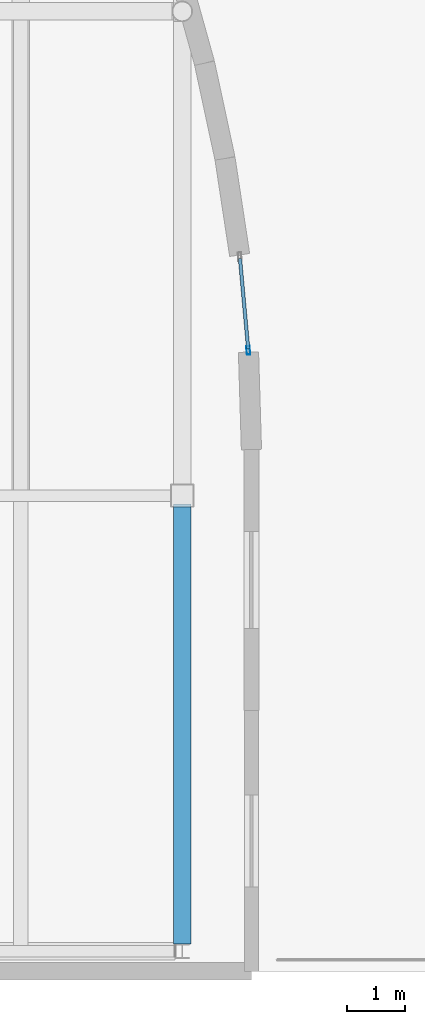
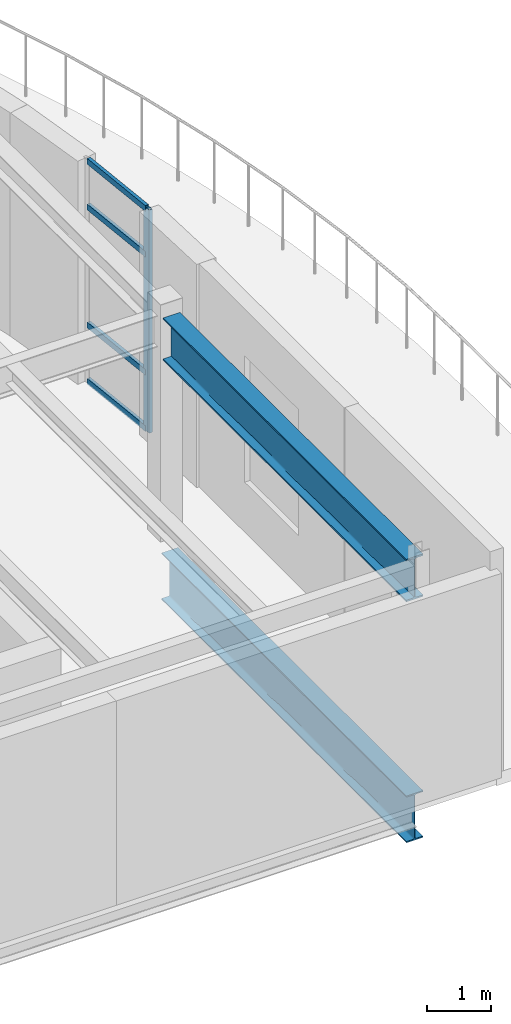
# One storey, part 11 of 26: 5 members, 2 beams, 1 element without a shape of its own.
"""IFC4 building model written with IfcOpenShell, lengths in metres."""

from ifc_helpers import new_model, si_unit, direction, frame, origin, origin_2d, place, context, subcontext, project, spatial, hollow_rectangle, i_section, extrude, material, layer, layer_set, material_profile, profile_set, type_object, element, aggregate, save


model = new_model("IFC4")

# Units and contexts
model_context = context("Model", 3, precision=1e-05, world=origin(), true_north=direction((0.0, 1.0)))
body_context = subcontext(model_context, "Body", "Model", "MODEL_VIEW")
ifc_project = project(units=[si_unit("LENGTHUNIT", "METRE"), si_unit("AREAUNIT", "SQUARE_METRE"), si_unit("VOLUMEUNIT", "CUBIC_METRE"), si_unit("PLANEANGLEUNIT", "RADIAN"), si_unit("MASSUNIT", "GRAM", prefix="KILO"), si_unit("THERMODYNAMICTEMPERATUREUNIT", "KELVIN")], contexts=[model_context])

# Site, building, storey
site_placement = place(None, origin())
site = spatial("IfcSite", under=ifc_project, at=site_placement, CompositionType="ELEMENT")
building_placement = place(site_placement, origin())
building = spatial("IfcBuilding", under=site, at=building_placement, Name="Lustrewick Department Store", CompositionType="ELEMENT")
storey_placement = place(building_placement, frame((0.0, 0.0, 36.300048828125)))
storey = spatial("IfcBuildingStorey", under=building, at=storey_placement, Name="L08", CompositionType="ELEMENT", Elevation=36.300048828125)

# Curtain wall, members
ifc_material_1 = material(Name="Thermally broken aluminium 6063-T5", Category="aluminium")
ifc_layer = layer(ifc_material_1, 0.14990234375, Name="Thermally broken aluminium 6063-T5")
ifc_layer_set = layer_set([ifc_layer], Name="Thermally broken aluminium 6063-T5")
curtain_wall_type = type_object("IfcCurtainWallType", Name="CW05", PredefinedType="NOTDEFINED", material=ifc_layer_set)
curtain_wall_placement = place(storey_placement, origin())
curtain_wall = element("IfcCurtainWall", 1, at=curtain_wall_placement, inside=storey, type_object=curtain_wall_type, Name="L08 V4 Curtain Wall CW05", PredefinedType="NOTDEFINED")
ifc_material_profile_1 = material_profile(ifc_material_1, hollow_rectangle(XDim=0.06005859375, YDim=0.14990234375, WallThickness=0.00341796875, at=origin_2d()), Name="ALU-M 60x150x3.5")
ifc_profile_set_1 = profile_set([ifc_material_profile_1], Name="Thermally broken aluminium 6063-T5")
member_type_1 = type_object("IfcMemberType", Name="CW05-M1", PredefinedType="MULLION", material=ifc_profile_set_1)
member_1_placement = place(storey_placement, frame((143.9462890625, 61.320556640625, 0.0), z_axis=(0.0, 0.0, 1.0), x_axis=(-0.995894660223, -0.090519753315, 0.0)))
member_1 = element("IfcMember", 2, at=member_1_placement, type_object=member_type_1, Name="CW05 mullion 1", PredefinedType="MULLION", context=body_context, shape_type="SweptSolid", body=[
    extrude(hollow_rectangle(XDim=0.06005859375, YDim=0.14990234375, WallThickness=0.00341796875, at=origin_2d()), origin(), (0.0, 0.0, 1.0), 4.244873046875),
])
ifc_material_profile_2 = material_profile(ifc_material_1, hollow_rectangle(XDim=0.06005859375, YDim=0.110107421875, WallThickness=0.0029296875, at=origin_2d()), Name="ALU-T 60x110x3")
ifc_profile_set_2 = profile_set([ifc_material_profile_2], Name="Thermally broken aluminium 6063-T5")
member_type_2 = type_object("IfcMemberType", Name="CW05-T1", PredefinedType="USERDEFINED", material=ifc_profile_set_2)
member_2_placement = place(storey_placement, frame((143.943359375, 61.350341796875, 0.030029296875), z_axis=(-0.090423677366, 0.995903388172, 0.0), x_axis=(-0.995903388172, -0.090423677366, 0.0)))
member_2 = element("IfcMember", 3, at=member_2_placement, type_object=member_type_2, Name="CW05 transom 1.1", ObjectType="TRANSOM", PredefinedType="USERDEFINED", context=body_context, shape_type="SweptSolid", body=[
    extrude(hollow_rectangle(XDim=0.06005859375, YDim=0.110107421875, WallThickness=0.0029296875, at=origin_2d()), origin(), (0.0, 0.0, 1.0), 1.5712890625),
])
member_3_placement = place(storey_placement, frame((143.943359375, 61.350341796875, 1.099853515625), z_axis=(-0.090423677366, 0.995903388172, 0.0), x_axis=(-0.995903388172, -0.090423677366, 0.0)))
member_3 = element("IfcMember", 4, at=member_3_placement, type_object=member_type_2, Name="CW05 transom 1.2", ObjectType="TRANSOM", PredefinedType="USERDEFINED", context=body_context, shape_type="SweptSolid", body=[
    extrude(hollow_rectangle(XDim=0.06005859375, YDim=0.110107421875, WallThickness=0.0029296875, at=origin_2d()), origin(), (0.0, 0.0, 1.0), 1.5712890625),
])
member_4_placement = place(storey_placement, frame((143.943359375, 61.350341796875, 3.344970703125), z_axis=(-0.090423677366, 0.995903388172, 0.0), x_axis=(-0.995903388172, -0.090423677366, 0.0)))
member_4 = element("IfcMember", 5, at=member_4_placement, type_object=member_type_2, Name="CW05 transom 1.3", ObjectType="TRANSOM", PredefinedType="USERDEFINED", context=body_context, shape_type="SweptSolid", body=[
    extrude(hollow_rectangle(XDim=0.06005859375, YDim=0.110107421875, WallThickness=0.0029296875, at=origin_2d()), origin(), (0.0, 0.0, 1.0), 1.5712890625),
])
member_5_placement = place(storey_placement, frame((143.943359375, 61.350341796875, 4.21484375), z_axis=(-0.090423677366, 0.995903388172, 0.0), x_axis=(-0.995903388172, -0.090423677366, 0.0)))
member_5 = element("IfcMember", 6, at=member_5_placement, type_object=member_type_2, Name="CW05 transom 1.4", ObjectType="TRANSOM", PredefinedType="USERDEFINED", context=body_context, shape_type="SweptSolid", body=[
    extrude(hollow_rectangle(XDim=0.06005859375, YDim=0.110107421875, WallThickness=0.0029296875, at=origin_2d()), origin(), (0.0, 0.0, 1.0), 1.5712890625),
])
aggregate(curtain_wall, [member_1, member_2, member_3, member_4, member_5])

# Beams
ifc_material_2 = material(Name="Structural steel Q355C", Category="steel")
ifc_material_profile_3 = material_profile(ifc_material_2, i_section(OverallWidth=0.299072265625, OverallDepth=0.889892578125, WebThickness=0.014892578125, FlangeThickness=0.02294921875, FilletRadius=0.02392578125, at=origin_2d()), Name="HN 890x299x15x23")
ifc_profile_set_3 = profile_set([ifc_material_profile_3], Name="Structural steel Q355C")
beam_type_1 = type_object("IfcBeamType", Name="G03", PredefinedType="BEAM", material=ifc_profile_set_3)
beam_1_placement = place(storey_placement, frame((142.800048828125, 51.02490234375, -0.699951171875), z_axis=(0.0, 1.0, 0.0), x_axis=(-1.0, 0.0, 0.0)))
element("IfcBeam", 7, at=beam_1_placement, inside=storey, type_object=beam_type_1, Name="L08 V4 Girder G03", PredefinedType="BEAM", context=body_context, shape_type="SweptSolid", body=[
    extrude(i_section(OverallWidth=0.299072265625, OverallDepth=0.889892578125, WebThickness=0.014892578125, FlangeThickness=0.02294921875, FilletRadius=0.02392578125, at=origin_2d()), origin(), (0.0, 0.0, 1.0), 7.628173828125),
])
ifc_material_profile_4 = material_profile(ifc_material_2, i_section(OverallWidth=0.302001953125, OverallDepth=0.80810546875, WebThickness=0.01611328125, FlangeThickness=0.030029296875, FilletRadius=0.02197265625, at=origin_2d()), Name="HN 808x302x16x30")
ifc_profile_set_4 = profile_set([ifc_material_profile_4], Name="Structural steel Q355C")
beam_type_2 = type_object("IfcBeamType", Name="G04", PredefinedType="BEAM", material=ifc_profile_set_4)
beam_2_placement = place(storey_placement, frame((142.800048828125, 51.02490234375, 3.841064453125), z_axis=(0.0, 1.0, 0.0), x_axis=(-1.0, 0.0, 0.0)))
element("IfcBeam", 8, at=beam_2_placement, inside=storey, type_object=beam_type_2, Name="L08 V4 Girder G04", PredefinedType="BEAM", context=body_context, shape_type="SweptSolid", body=[
    extrude(i_section(OverallWidth=0.302001953125, OverallDepth=0.80810546875, WebThickness=0.01611328125, FlangeThickness=0.030029296875, FilletRadius=0.02197265625, at=origin_2d()), origin(), (0.0, 0.0, 1.0), 7.5751953125),
])

save(model, "model.ifc")
